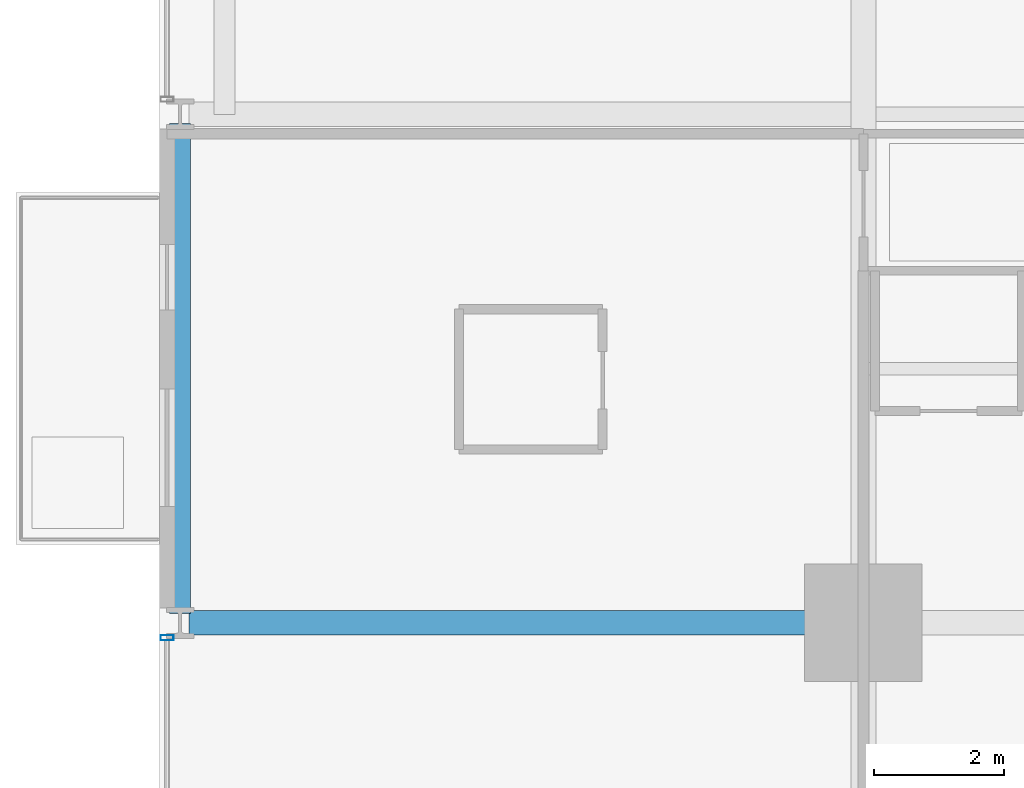
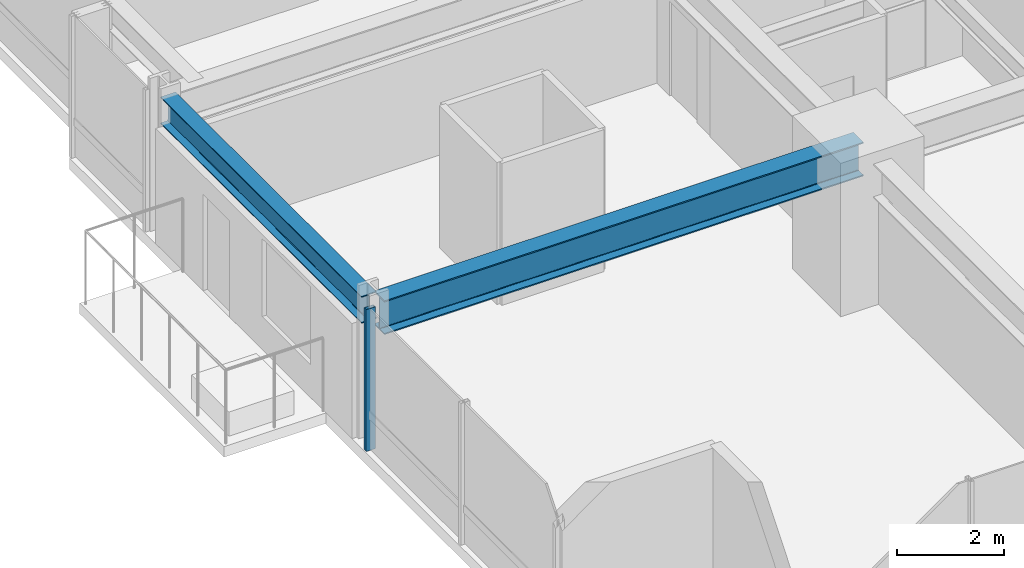
# One storey, part 4 of 38: 2 beams, 1 member, 1 element without a shape of its own.
"""IFC4 building model written with IfcOpenShell, lengths in metres."""

from ifc_helpers import new_model, si_unit, direction, frame, origin, origin_2d, place, context, subcontext, project, spatial, hollow_rectangle, i_section, extrude, material, layer, layer_set, material_profile, profile_set, type_object, element, aggregate, save


model = new_model("IFC4")

# Units and contexts
model_context = context("Model", 3, precision=1e-05, world=origin(), true_north=direction((0.0, 1.0)))
body_context = subcontext(model_context, "Body", "Model", "MODEL_VIEW")
ifc_project = project(units=[si_unit("LENGTHUNIT", "METRE"), si_unit("AREAUNIT", "SQUARE_METRE"), si_unit("VOLUMEUNIT", "CUBIC_METRE"), si_unit("PLANEANGLEUNIT", "RADIAN"), si_unit("MASSUNIT", "GRAM", prefix="KILO")], contexts=[model_context])

# Site, building, storey
site_placement = place(None, origin())
site = spatial("IfcSite", under=ifc_project, at=site_placement, CompositionType="ELEMENT")
building_placement = place(site_placement, origin())
building = spatial("IfcBuilding", under=site, at=building_placement, Name="Drelvath Grand Hotel", CompositionType="ELEMENT")
storey_placement = place(building_placement, frame((0.0, 0.0, 61.199951171875)))
storey = spatial("IfcBuildingStorey", under=building, at=storey_placement, Name="L14", CompositionType="ELEMENT", Elevation=61.199951171875)

# Curtain wall, member
ifc_material_1 = material(Name="Warm Bronze Anodised Aluminium Frame", Category="aluminium")
ifc_layer = layer(ifc_material_1, 0.199951171875)
ifc_layer_set = layer_set([ifc_layer], Name="Warm Bronze Anodised Aluminium Frame")
curtain_wall_type = type_object("IfcCurtainWallType", Name="Stick Curtain Wall CW-02 Warm Bronze Low-Rise", PredefinedType="NOTDEFINED", material=ifc_layer_set)
curtain_wall_placement = place(storey_placement, origin())
curtain_wall = element("IfcCurtainWall", 1, at=curtain_wall_placement, inside=storey, type_object=curtain_wall_type, Name="L14 CW-02 Curtain Wall CW02-L14-WS1", PredefinedType="NOTDEFINED")
ifc_material_profile_1 = material_profile(ifc_material_1, hollow_rectangle(XDim=0.080078125, YDim=0.199951171875, WallThickness=0.0048828125, at=origin_2d()), Name="HSS200X80X5")
ifc_profile_set_1 = profile_set([ifc_material_profile_1], Name="Warm Bronze Anodised Aluminium Frame")
member_type = type_object("IfcMemberType", Name="Curtain Wall Vertical Mullion CW-02 HSS200X80X5", PredefinedType="MULLION", material=ifc_profile_set_1)
member_placement = place(storey_placement, frame((-26.8798828125, 10.57080078125, 0.0), z_axis=(0.0, 0.0, 1.0), x_axis=(0.0, 1.0, 0.0)))
member = element("IfcMember", 2, at=member_placement, type_object=member_type, Name="CW02-L14-WS1 Mullion 3", PredefinedType="MULLION", context=body_context, shape_type="SweptSolid", body=[
    extrude(hollow_rectangle(XDim=0.080078125, YDim=0.199951171875, WallThickness=0.0048828125, at=origin_2d()), origin(), (0.0, 0.0, 1.0), 3.239990234375),
])
aggregate(curtain_wall, [member])

# Beams
ifc_material_2 = material(Name="Steel ASTM A992 Gr 50", Category="steel")
ifc_material_profile_2 = material_profile(ifc_material_2, i_section(OverallWidth=0.323974609375, OverallDepth=0.611083984375, WebThickness=0.0126953125, FlangeThickness=0.01904296875, FilletRadius=0.02197265625, at=origin_2d()), Name="W24X104")
ifc_profile_set_2 = profile_set([ifc_material_profile_2], Name="Steel ASTM A992 Gr 50")
beam_type_1 = type_object("IfcBeamType", Name="Perimeter Spandrel Beam W24X104", PredefinedType="SPANDREL", material=ifc_profile_set_2)
beam_1_placement = place(storey_placement, frame((-26.679931640625, 10.93994140625, 2.9345703125), z_axis=(0.0, 1.0, 0.0), x_axis=(-1.0, 0.0, 0.0)))
element("IfcBeam", 3, at=beam_1_placement, inside=storey, type_object=beam_type_1, Name="L14 Spandrel West S", PredefinedType="SPANDREL", context=body_context, shape_type="SweptSolid", body=[
    extrude(i_section(OverallWidth=0.323974609375, OverallDepth=0.611083984375, WebThickness=0.0126953125, FlangeThickness=0.01904296875, FilletRadius=0.02197265625, at=origin_2d()), origin(), (0.0, 0.0, 1.0), 7.52001953125),
])
ifc_material_profile_3 = material_profile(ifc_material_2, i_section(OverallWidth=0.380615234375, OverallDepth=0.773193359375, WebThickness=0.0166015625, FlangeThickness=0.027099609375, FilletRadius=0.02490234375, at=origin_2d()), Name="W30X173")
ifc_profile_set_3 = profile_set([ifc_material_profile_3], Name="Steel ASTM A992 Gr 50")
beam_type_2 = type_object("IfcBeamType", Name="Primary Floor Girder W30X173", PredefinedType="BEAM", material=ifc_profile_set_3)
beam_2_placement = place(storey_placement, frame((-26.5400390625, 10.800048828125, 2.853515625), z_axis=(1.0, 0.0, 0.0), x_axis=(0.0, 1.0, 0.0)))
element("IfcBeam", 4, at=beam_2_placement, inside=storey, type_object=beam_type_2, Name="L14 West Grid Girder C", PredefinedType="BEAM", context=body_context, shape_type="SweptSolid", body=[
    extrude(i_section(OverallWidth=0.380615234375, OverallDepth=0.773193359375, WebThickness=0.0166015625, FlangeThickness=0.027099609375, FilletRadius=0.02490234375, at=origin_2d()), origin(), (0.0, 0.0, 1.0), 10.340087890625),
])

save(model, "model.ifc")
